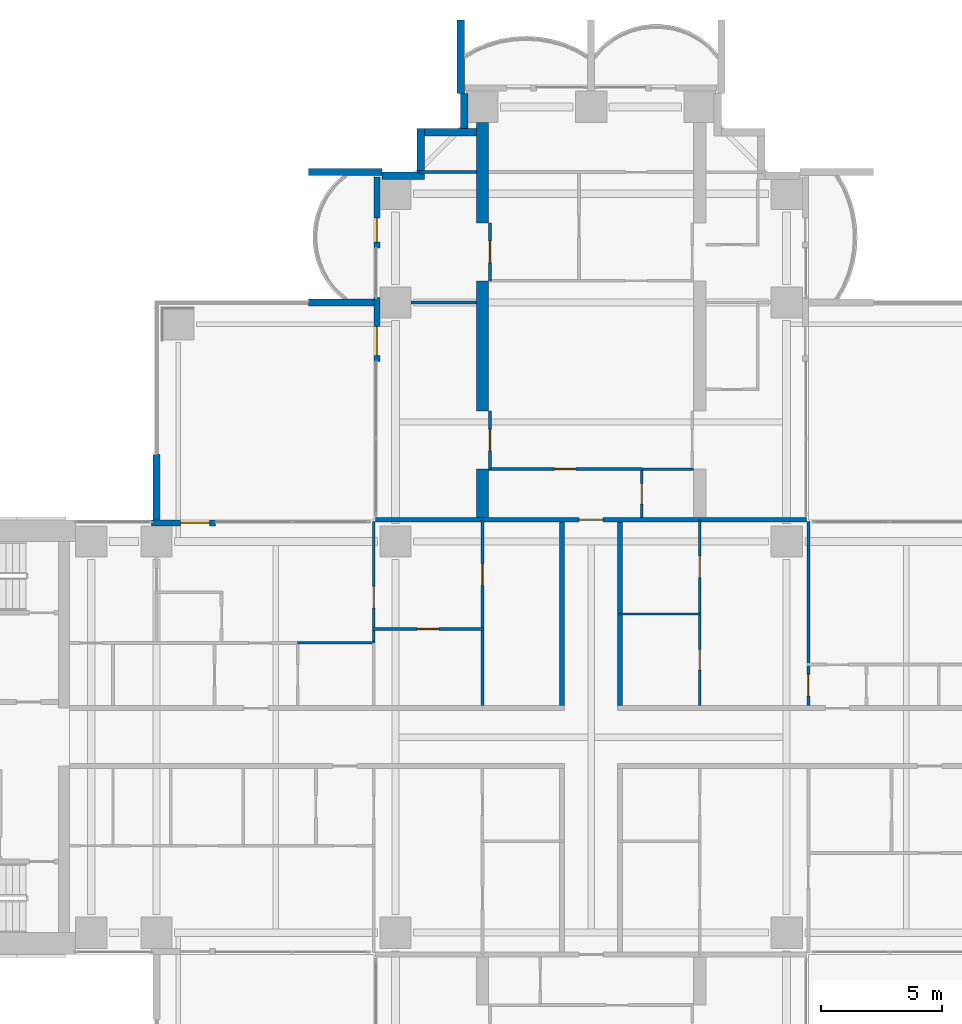
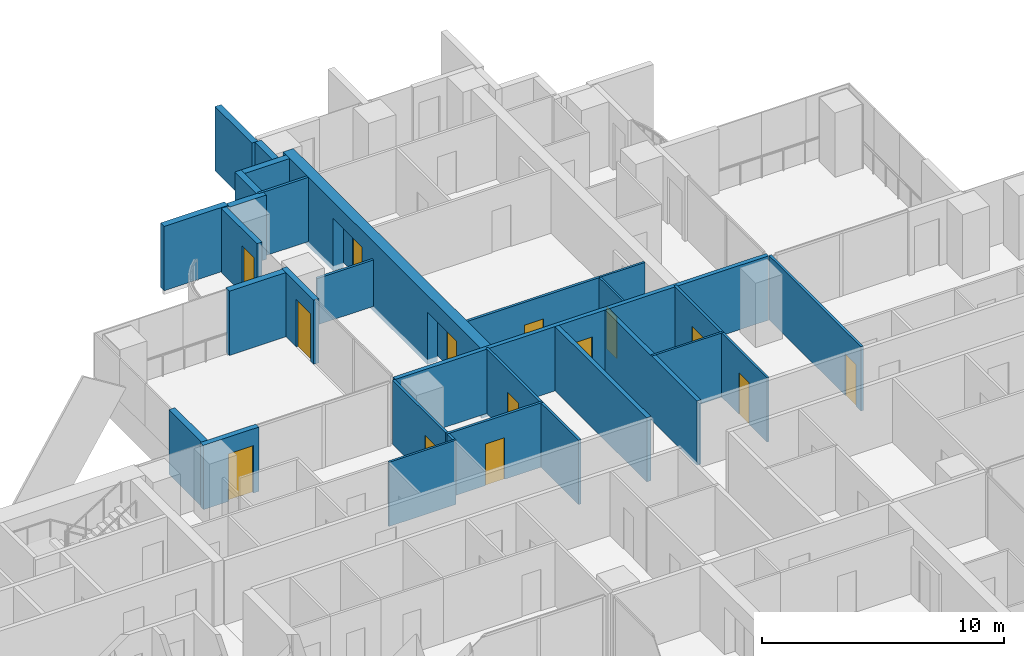
# One storey, part 15 of 23: 30 walls, 14 doors, 14 openings.
"""IFC4 building model written with IfcOpenShell, lengths in metres."""

from ifc_helpers import new_model, si_unit, direction, frame, frame_2d, origin, place, context, subcontext, project, spatial, polyline, rectangle, outline, extrude, material, layer, layer_set, material_profile, profile_set, type_object, element, fill, save


model = new_model("IFC4")

# Units and contexts
model_context = context("Model", 3, precision=1e-05, world=origin(), true_north=direction((0.0, 1.0)))
body_context = subcontext(model_context, "Body", "Model", "MODEL_VIEW")
ifc_project = project(units=[si_unit("LENGTHUNIT", "METRE"), si_unit("AREAUNIT", "SQUARE_METRE"), si_unit("VOLUMEUNIT", "CUBIC_METRE"), si_unit("PLANEANGLEUNIT", "RADIAN"), si_unit("MASSUNIT", "GRAM", prefix="KILO")], contexts=[model_context])

# Site, building, storey
site_placement = place(None, origin())
site = spatial("IfcSite", under=ifc_project, at=site_placement, CompositionType="ELEMENT")
building_placement = place(site_placement, origin())
building = spatial("IfcBuilding", under=site, at=building_placement, Name="Perihelion Cross Residences", CompositionType="ELEMENT")
storey_placement = place(building_placement, frame((0.0, 0.0, 36.5)))
storey = spatial("IfcBuildingStorey", under=building, at=storey_placement, Name="L05", CompositionType="ELEMENT", Elevation=36.5)

# Walls
ifc_material_1 = material(Name="Plasterboard partition")
ifc_layer_1 = layer(ifc_material_1, 0.199951171875)
ifc_layer_set_1 = layer_set([ifc_layer_1], Name="Apartment separation wall 200")
wall_type_1 = type_object("IfcWallType", Name="Apartment separation wall 200", PredefinedType="PARTITIONING", material=ifc_layer_set_1)
for number, where, z_axis, x_axis, name in (
    (1, (1.199951171875, 8.89990234375, 0.0), (0.0, 0.0, 1.0), (0.0, -1.0, 0.0), "Partition L05 W002"),
    (2, (-1.199951171875, 1.300048828125, 0.0), (0.0, 0.0, 1.0), (0.0, 1.0, 0.0), "Partition L05 W006"),
):
    element("IfcWall", number, at=place(storey_placement, frame(where, z_axis=z_axis, x_axis=x_axis)), inside=storey, type_object=wall_type_1, Name=name, PredefinedType="PARTITIONING", context=body_context, shape_type="SweptSolid", body=[
        extrude(rectangle(XDim=7.599853515625, YDim=0.199951171875, at=frame_2d((3.7998046875, 0.0))), origin(), (0.0, 0.0, 1.0), 3.25),
    ])

# Wall, opening, door
wall_1_placement = place(storey_placement, frame((-8.919921875, 9.0, 0.0), z_axis=(0.0, 0.0, 1.0), x_axis=(1.0, 0.0, 0.0)))
wall_1 = element("IfcWall", 3, at=wall_1_placement, inside=storey, type_object=wall_type_1, Name="Partition L05 W009", PredefinedType="PARTITIONING", context=body_context, shape_type="SweptSolid", body=[
    extrude(rectangle(XDim=17.83984375, YDim=0.199951171875, at=frame_2d((8.919921875, 0.0))), origin(), (0.0, 0.0, 1.0), 3.25),
])
opening_1_placement = place(wall_1_placement, frame((8.419921875, 0.0, 0.0)))
opening_1 = element("IfcOpeningElement", 4, at=opening_1_placement, cuts=wall_1, Name="Opening L05.A34", PredefinedType="OPENING", context=body_context, shape_type="SweptSolid", body=[
    extrude(rectangle(XDim=1.0, YDim=2.10009765625, at=frame_2d((0.5, 1.050048828125))), frame((0.0, 0.10986328125, 0.0), z_axis=(0.0, -1.0, 0.0), x_axis=(1.0, 0.0, 0.0)), (0.0, 0.0, 1.0), 0.219970703125),
])
ifc_material_2 = material(Name="Timber door leaf", Category="wood")
door_type_1 = type_object("IfcDoorType", Name="Flat entrance door 1000 x 2100", OperationType="SINGLE_SWING_LEFT", PredefinedType="DOOR", material=ifc_material_2)
door_1_placement = place(opening_1_placement, origin())
door_1 = element("IfcDoor", 5, at=door_1_placement, inside=storey, type_object=door_type_1, Name="Door L05.A34", OperationType="SINGLE_SWING_RIGHT", OverallHeight=2.10009765625, OverallWidth=1.0, PredefinedType="DOOR", context=body_context, shape_type="SweptSolid", body=[
    extrude(rectangle(XDim=1.0, YDim=2.10009765625, at=frame_2d((0.5, 1.050048828125))), frame((0.0, 0.02490234375, 0.0), z_axis=(0.0, -1.0, 0.0), x_axis=(1.0, 0.0, 0.0)), (0.0, 0.0, 1.0), 0.050048828125),
])
fill(opening_1, door_1)

ifc_material_3 = material(Name="Concrete C30/37, bronze-clad", Category="concrete")
ifc_layer_2 = layer(ifc_material_3, 0.25)
ifc_layer_set_2 = layer_set([ifc_layer_2], Name="Bronze-clad pier wall 250")
wall_type_2 = type_object("IfcWallType", Name="Bronze-clad pier wall 250", PredefinedType="SOLIDWALL", material=ifc_layer_set_2)
wall_2_placement = place(storey_placement, frame((-8.875, 23.199951171875, 0.0), z_axis=(0.0, 0.0, 1.0), x_axis=(0.0, -1.0, 0.0)))
wall_2 = element("IfcWall", 6, at=wall_2_placement, inside=storey, type_object=wall_type_2, Name="Wall FW1 L05 north side west bay 1 pier", PredefinedType="SOLIDWALL", context=body_context, shape_type="SweptSolid", body=[
    extrude(rectangle(XDim=2.949951171875, YDim=0.25, at=frame_2d((1.47509765625, 0.0))), origin(), (0.0, 0.0, 1.0), 3.25),
])
opening_2_placement = place(wall_2_placement, frame((1.699951171875, 0.0, 0.0)))
opening_2 = element("IfcOpeningElement", 7, at=opening_2_placement, cuts=wall_2, Name="Opening L05.E06", PredefinedType="OPENING", context=body_context, shape_type="SweptSolid", body=[
    extrude(rectangle(XDim=1.0, YDim=2.39990234375, at=frame_2d((0.5, 1.199951171875))), frame((0.0, 0.135009765625, 0.0), z_axis=(0.0, -1.0, 0.0), x_axis=(1.0, 0.0, 0.0)), (0.0, 0.0, 1.0), 0.27001953125),
])
ifc_material_4 = material(Name="Bronze anodised aluminium, glazed", Category="aluminium")
door_type_2 = type_object("IfcDoorType", Name="Balcony door 1000 x 2400", OperationType="NOTDEFINED", PredefinedType="DOOR", material=ifc_material_4)
door_2_placement = place(opening_2_placement, origin())
door_2 = element("IfcDoor", 8, at=door_2_placement, inside=storey, type_object=door_type_2, Name="Door L05.E06 north side west bay 1", OperationType="SINGLE_SWING_LEFT", OverallHeight=2.39990234375, OverallWidth=1.0, PredefinedType="DOOR", context=body_context, shape_type="SweptSolid", body=[
    extrude(rectangle(XDim=1.0, YDim=2.39990234375, at=frame_2d((0.5, 1.199951171875))), frame((0.0, 0.02490234375, 0.0), z_axis=(0.0, -1.0, 0.0), x_axis=(1.0, 0.0, 0.0)), (0.0, 0.0, 1.0), 0.050048828125),
])
fill(opening_2, door_2)

wall_3_placement = place(storey_placement, frame((-8.875, 18.199951171875, 0.0), z_axis=(0.0, 0.0, 1.0), x_axis=(0.0, -1.0, 0.0)))
wall_3 = element("IfcWall", 9, at=wall_3_placement, inside=storey, type_object=wall_type_2, Name="Wall FW1 L05 north side west bay 2 pier", PredefinedType="SOLIDWALL", context=body_context, shape_type="SweptSolid", body=[
    extrude(rectangle(XDim=2.64990234375, YDim=0.25, at=frame_2d((1.324951171875, 0.0))), origin(), (0.0, 0.0, 1.0), 3.25),
])
opening_3_placement = place(wall_3_placement, frame((1.199951171875, 0.0, 0.0)))
opening_3 = element("IfcOpeningElement", 10, at=opening_3_placement, cuts=wall_3, Name="Opening L05.E07", PredefinedType="OPENING", context=body_context, shape_type="SweptSolid", body=[
    extrude(rectangle(XDim=1.199951171875, YDim=2.39990234375, at=frame_2d((0.60009765625, 1.199951171875))), frame((0.0, 0.135009765625, 0.0), z_axis=(0.0, -1.0, 0.0), x_axis=(1.0, 0.0, 0.0)), (0.0, 0.0, 1.0), 0.27001953125),
])
ifc_material_5 = material(Name="Bronze anodised aluminium, glazed", Category="aluminium")
door_type_3 = type_object("IfcDoorType", Name="Balcony door 1200 x 2400", OperationType="NOTDEFINED", PredefinedType="DOOR", material=ifc_material_5)
door_3_placement = place(opening_3_placement, origin())
door_3 = element("IfcDoor", 11, at=door_3_placement, inside=storey, type_object=door_type_3, Name="Door L05.E07 north side west bay 2", OperationType="SINGLE_SWING_RIGHT", OverallHeight=2.39990234375, OverallWidth=1.199951171875, PredefinedType="DOOR", context=body_context, shape_type="SweptSolid", body=[
    extrude(rectangle(XDim=1.199951171875, YDim=2.39990234375, at=frame_2d((0.60009765625, 1.199951171875))), frame((0.0, 0.02490234375, 0.0), z_axis=(0.0, -1.0, 0.0), x_axis=(1.0, 0.0, 0.0)), (0.0, 0.0, 1.0), 0.050048828125),
])
fill(opening_3, door_3)

wall_4_placement = place(storey_placement, frame((-15.550048828125, 8.875, 0.0), z_axis=(0.0, 0.0, 1.0), x_axis=(-1.0, 0.0, 0.0)))
wall_4 = element("IfcWall", 12, at=wall_4_placement, inside=storey, type_object=wall_type_2, Name="Wall FW1 L05 west side north bay 1 pier", PredefinedType="SOLIDWALL", context=body_context, shape_type="SweptSolid", body=[
    extrude(rectangle(XDim=2.64990234375, YDim=0.25, at=frame_2d((1.324951171875, 0.0))), origin(), (0.0, 0.0, 1.0), 3.25),
])
opening_4_placement = place(wall_4_placement, frame((0.25, 0.0, 0.0)))
opening_4 = element("IfcOpeningElement", 13, at=opening_4_placement, cuts=wall_4, Name="Opening L05.E08", PredefinedType="OPENING", context=body_context, shape_type="SweptSolid", body=[
    extrude(rectangle(XDim=1.199951171875, YDim=2.39990234375, at=frame_2d((0.60009765625, 1.199951171875))), frame((0.0, 0.135009765625, 0.0), z_axis=(0.0, -1.0, 0.0), x_axis=(1.0, 0.0, 0.0)), (0.0, 0.0, 1.0), 0.27001953125),
])
door_4_placement = place(opening_4_placement, origin())
door_4 = element("IfcDoor", 14, at=door_4_placement, inside=storey, type_object=door_type_3, Name="Door L05.E08 west side north bay 1", OperationType="SINGLE_SWING_LEFT", OverallHeight=2.39990234375, OverallWidth=1.199951171875, PredefinedType="DOOR", context=body_context, shape_type="SweptSolid", body=[
    extrude(rectangle(XDim=1.199951171875, YDim=2.39990234375, at=frame_2d((0.60009765625, 1.199951171875))), frame((0.0, 0.02490234375, 0.0), z_axis=(0.0, -1.0, 0.0), x_axis=(1.0, 0.0, 0.0)), (0.0, 0.0, 1.0), 0.050048828125),
])
fill(opening_4, door_4)

# Walls
ifc_material_6 = material(Name="Concrete C30/37, bronze-clad", Category="concrete")
ifc_layer_3 = layer(ifc_material_6, 0.300048828125)
ifc_layer_set_3 = layer_set([ifc_layer_3], Name="Bronze-clad serration wall 300")
wall_type_3 = type_object("IfcWallType", Name="Bronze-clad serration wall 300", PredefinedType="SOLIDWALL", material=ifc_layer_set_3)
wall_5_placement = place(storey_placement, frame((-5.25, 26.64990234375, 0.0), z_axis=(0.0, 0.0, 1.0), x_axis=(0.0, -1.0, 0.0)))
element("IfcWall", 15, at=wall_5_placement, inside=storey, type_object=wall_type_3, Name="Wall SR1 L05 north corner north-west 1", PredefinedType="SOLIDWALL", context=body_context, shape_type="SweptSolid", body=[
    extrude(rectangle(XDim=1.449951171875, YDim=0.300048828125, at=frame_2d((0.72509765625, 0.0))), origin(), (0.0, 0.0, 1.0), 3.25),
])
wall_6_placement = place(storey_placement, frame((-4.75, 25.050048828125, 0.0), z_axis=(0.0, 0.0, 1.0), x_axis=(-1.0, 0.0, 0.0)))
element("IfcWall", 16, at=wall_6_placement, inside=storey, type_object=wall_type_3, Name="Wall SR1 L05 north corner north-west 2", PredefinedType="SOLIDWALL", context=body_context, shape_type="SweptSolid", body=[
    extrude(rectangle(XDim=2.14990234375, YDim=0.300048828125, at=frame_2d((1.074951171875, 0.0))), origin(), (0.0, 0.0, 1.0), 3.25),
])
wall_7_placement = place(storey_placement, frame((-7.050048828125, 25.199951171875, 0.0), z_axis=(0.0, 0.0, 1.0), x_axis=(0.0, -1.0, 0.0)))
element("IfcWall", 17, at=wall_7_placement, inside=storey, type_object=wall_type_3, Name="Wall SR1 L05 north corner north-west 3", PredefinedType="SOLIDWALL", context=body_context, shape_type="SweptSolid", body=[
    extrude(rectangle(XDim=1.800048828125, YDim=0.300048828125, at=frame_2d((0.89990234375, 0.0))), origin(), (0.0, 0.0, 1.0), 3.25),
])
wall_8_placement = place(storey_placement, frame((-6.89990234375, 23.25, 0.0), z_axis=(0.0, 0.0, 1.0), x_axis=(-1.0, 0.0, 0.0)))
element("IfcWall", 18, at=wall_8_placement, inside=storey, type_object=wall_type_3, Name="Wall SR1 L05 north corner north-west 4", PredefinedType="SOLIDWALL", context=body_context, shape_type="SweptSolid", body=[
    extrude(rectangle(XDim=1.75, YDim=0.300048828125, at=frame_2d((0.875, 0.0))), origin(), (0.0, 0.0, 1.0), 3.25),
])

# Wall, opening, door
ifc_material_7 = material(Name="Plasterboard partition")
ifc_layer_4 = layer(ifc_material_7, 0.1201171875)
ifc_layer_set_4 = layer_set([ifc_layer_4], Name="Infill panel 120")
wall_type_4 = type_object("IfcWallType", Name="Infill panel 120", PredefinedType="PARTITIONING", material=ifc_layer_set_4)
wall_9_placement = place(storey_placement, frame((-4.18994140625, 11.10009765625, 0.0), z_axis=(0.0, 0.0, 1.0), x_axis=(0.0, 1.0, 0.0)))
wall_9 = element("IfcWall", 19, at=wall_9_placement, inside=storey, type_object=wall_type_4, Name="Partition L05 WI03", PredefinedType="PARTITIONING", context=body_context, shape_type="SweptSolid", body=[
    extrude(rectangle(XDim=2.39990234375, YDim=0.1201171875, at=frame_2d((1.199951171875, 0.0))), origin(), (0.0, 0.0, 1.0), 2.39990234375),
])
opening_5_placement = place(wall_9_placement, frame((0.75, 0.0, 0.0)))
opening_5 = element("IfcOpeningElement", 20, at=opening_5_placement, cuts=wall_9, Name="Opening L05.A56", PredefinedType="OPENING", context=body_context, shape_type="SweptSolid", body=[
    extrude(rectangle(XDim=0.89990234375, YDim=2.10009765625, at=frame_2d((0.449951171875, 1.050048828125))), frame((0.0, 0.070068359375, 0.0), z_axis=(0.0, -1.0, 0.0), x_axis=(1.0, 0.0, 0.0)), (0.0, 0.0, 1.0), 0.14013671875),
])
ifc_material_8 = material(Name="Timber door leaf", Category="wood")
door_type_4 = type_object("IfcDoorType", Name="Interior room door 900 x 2100", OperationType="SINGLE_SWING_LEFT", PredefinedType="DOOR", material=ifc_material_8)
door_5_placement = place(opening_5_placement, origin())
door_5 = element("IfcDoor", 21, at=door_5_placement, inside=storey, type_object=door_type_4, Name="Door L05.A56", OperationType="SINGLE_SWING_LEFT", OverallHeight=2.10009765625, OverallWidth=0.89990234375, PredefinedType="DOOR", context=body_context, shape_type="SweptSolid", body=[
    extrude(rectangle(XDim=0.89990234375, YDim=2.10009765625, at=frame_2d((0.449951171875, 1.050048828125))), frame((0.0, 0.02490234375, 0.0), z_axis=(0.0, -1.0, 0.0), x_axis=(1.0, 0.0, 0.0)), (0.0, 0.0, 1.0), 0.050048828125),
])
fill(opening_5, door_5)

wall_10_placement = place(storey_placement, frame((-4.18994140625, 18.89990234375, 0.0), z_axis=(0.0, 0.0, 1.0), x_axis=(0.0, 1.0, 0.0)))
wall_10 = element("IfcWall", 22, at=wall_10_placement, inside=storey, type_object=wall_type_4, Name="Partition L05 WI04", PredefinedType="PARTITIONING", context=body_context, shape_type="SweptSolid", body=[
    extrude(rectangle(XDim=2.400146484375, YDim=0.1201171875, at=frame_2d((1.2001953125, 0.0))), origin(), (0.0, 0.0, 1.0), 2.39990234375),
])
opening_6_placement = place(wall_10_placement, frame((0.75, 0.0, 0.0)))
opening_6 = element("IfcOpeningElement", 23, at=opening_6_placement, cuts=wall_10, Name="Opening L05.A57", PredefinedType="OPENING", context=body_context, shape_type="SweptSolid", body=[
    extrude(rectangle(XDim=0.89990234375, YDim=2.10009765625, at=frame_2d((0.449951171875, 1.050048828125))), frame((0.0, 0.070068359375, 0.0), z_axis=(0.0, -1.0, 0.0), x_axis=(1.0, 0.0, 0.0)), (0.0, 0.0, 1.0), 0.14013671875),
])
door_6_placement = place(opening_6_placement, origin())
door_6 = element("IfcDoor", 24, at=door_6_placement, inside=storey, type_object=door_type_4, Name="Door L05.A57", OperationType="SINGLE_SWING_RIGHT", OverallHeight=2.10009765625, OverallWidth=0.89990234375, PredefinedType="DOOR", context=body_context, shape_type="SweptSolid", body=[
    extrude(rectangle(XDim=0.89990234375, YDim=2.10009765625, at=frame_2d((0.449951171875, 1.050048828125))), frame((0.0, 0.02490234375, 0.0), z_axis=(0.0, -1.0, 0.0), x_axis=(1.0, 0.0, 0.0)), (0.0, 0.0, 1.0), 0.050048828125),
])
fill(opening_6, door_6)

ifc_material_9 = material(Name="Plasterboard partition")
ifc_layer_5 = layer(ifc_material_9, 0.1201171875)
ifc_layer_set_5 = layer_set([ifc_layer_5], Name="Partition wall 120")
wall_type_5 = type_object("IfcWallType", Name="Partition wall 120", PredefinedType="PARTITIONING", material=ifc_layer_set_5)
wall_11_placement = place(storey_placement, frame((9.0, 1.300048828125, 0.0), z_axis=(0.0, 0.0, 1.0), x_axis=(0.0, 1.0, 0.0)))
wall_11 = element("IfcWall", 25, at=wall_11_placement, inside=storey, type_object=wall_type_5, Name="Partition L05 W013", PredefinedType="PARTITIONING", context=body_context, shape_type="SweptSolid", body=[
    extrude(rectangle(XDim=7.619873046875, YDim=0.1201171875, at=frame_2d((3.81005859375, 0.0))), origin(), (0.0, 0.0, 1.0), 3.25),
])
opening_7_placement = place(wall_11_placement, frame((0.39990234375, 0.0, 0.0)))
opening_7 = element("IfcOpeningElement", 26, at=opening_7_placement, cuts=wall_11, Name="Opening L05.A04", PredefinedType="OPENING", context=body_context, shape_type="SweptSolid", body=[
    extrude(rectangle(XDim=0.89990234375, YDim=2.10009765625, at=frame_2d((0.449951171875, 1.050048828125))), frame((0.0, 0.070068359375, 0.0), z_axis=(0.0, -1.0, 0.0), x_axis=(1.0, 0.0, 0.0)), (0.0, 0.0, 1.0), 0.14013671875),
])
door_7_placement = place(opening_7_placement, origin())
door_7 = element("IfcDoor", 27, at=door_7_placement, inside=storey, type_object=door_type_4, Name="Door L05.A04", OperationType="SINGLE_SWING_RIGHT", OverallHeight=2.10009765625, OverallWidth=0.89990234375, PredefinedType="DOOR", context=body_context, shape_type="SweptSolid", body=[
    extrude(rectangle(XDim=0.89990234375, YDim=2.10009765625, at=frame_2d((0.449951171875, 1.050048828125))), frame((0.0, 0.02490234375, 0.0), z_axis=(0.0, -1.0, 0.0), x_axis=(1.0, 0.0, 0.0)), (0.0, 0.0, 1.0), 0.050048828125),
])
fill(opening_7, door_7)

wall_12_placement = place(storey_placement, frame((4.5, 5.10009765625, 0.0), z_axis=(0.0, 0.0, 1.0), x_axis=(0.0, 1.0, 0.0)))
wall_12 = element("IfcWall", 28, at=wall_12_placement, inside=storey, type_object=wall_type_5, Name="Partition L05 W021", PredefinedType="PARTITIONING", context=body_context, shape_type="SweptSolid", body=[
    extrude(rectangle(XDim=3.89990234375, YDim=0.1201171875, at=frame_2d((1.949951171875, 0.0))), origin(), (0.0, 0.0, 1.0), 3.25),
])
opening_8_placement = place(wall_12_placement, frame((1.5, 0.0, 0.0)))
opening_8 = element("IfcOpeningElement", 29, at=opening_8_placement, cuts=wall_12, Name="Opening L05.A03", PredefinedType="OPENING", context=body_context, shape_type="SweptSolid", body=[
    extrude(rectangle(XDim=0.89990234375, YDim=2.10009765625, at=frame_2d((0.449951171875, 1.050048828125))), frame((0.0, 0.070068359375, 0.0), z_axis=(0.0, -1.0, 0.0), x_axis=(1.0, 0.0, 0.0)), (0.0, 0.0, 1.0), 0.14013671875),
])
door_8_placement = place(opening_8_placement, origin())
door_8 = element("IfcDoor", 30, at=door_8_placement, inside=storey, type_object=door_type_4, Name="Door L05.A03", OperationType="SINGLE_SWING_RIGHT", OverallHeight=2.10009765625, OverallWidth=0.89990234375, PredefinedType="DOOR", context=body_context, shape_type="SweptSolid", body=[
    extrude(rectangle(XDim=0.89990234375, YDim=2.10009765625, at=frame_2d((0.449951171875, 1.050048828125))), frame((0.0, 0.02490234375, 0.0), z_axis=(0.0, -1.0, 0.0), x_axis=(1.0, 0.0, 0.0)), (0.0, 0.0, 1.0), 0.050048828125),
])
fill(opening_8, door_8)

wall_13_placement = place(storey_placement, frame((-9.0, 8.919921875, 0.0), z_axis=(0.0, 0.0, 1.0), x_axis=(0.0, -1.0, 0.0)))
wall_13 = element("IfcWall", 31, at=wall_13_placement, inside=storey, type_object=wall_type_5, Name="Partition L05 W042", PredefinedType="PARTITIONING", context=body_context, shape_type="SweptSolid", body=[
    extrude(rectangle(XDim=5.02001953125, YDim=0.1201171875, at=frame_2d((2.510009765625, 0.0))), origin(), (0.0, 0.0, 1.0), 3.25),
])
opening_9_placement = place(wall_13_placement, frame((2.681884765625, 0.0, 0.0)))
opening_9 = element("IfcOpeningElement", 32, at=opening_9_placement, cuts=wall_13, Name="Opening L05.A21", PredefinedType="OPENING", context=body_context, shape_type="SweptSolid", body=[
    extrude(rectangle(XDim=0.89990234375, YDim=2.10009765625, at=frame_2d((0.449951171875, 1.050048828125))), frame((0.0, 0.070068359375, 0.0), z_axis=(0.0, -1.0, 0.0), x_axis=(1.0, 0.0, 0.0)), (0.0, 0.0, 1.0), 0.14013671875),
])
door_9_placement = place(opening_9_placement, origin())
door_9 = element("IfcDoor", 33, at=door_9_placement, inside=storey, type_object=door_type_4, Name="Door L05.A21", OperationType="SINGLE_SWING_LEFT", OverallHeight=2.10009765625, OverallWidth=0.89990234375, PredefinedType="DOOR", context=body_context, shape_type="SweptSolid", body=[
    extrude(rectangle(XDim=0.89990234375, YDim=2.10009765625, at=frame_2d((0.449951171875, 1.050048828125))), frame((0.0, 0.02490234375, 0.0), z_axis=(0.0, -1.0, 0.0), x_axis=(1.0, 0.0, 0.0)), (0.0, 0.0, 1.0), 0.050048828125),
])
fill(opening_9, door_9)

wall_14_placement = place(storey_placement, frame((-9.06005859375, 4.47607421875, 0.0), z_axis=(0.0, 0.0, 1.0), x_axis=(1.0, 0.0, 0.0)))
wall_14 = element("IfcWall", 34, at=wall_14_placement, inside=storey, type_object=wall_type_5, Name="Partition L05 W043", PredefinedType="PARTITIONING", context=body_context, shape_type="SweptSolid", body=[
    extrude(rectangle(XDim=4.6201171875, YDim=0.1201171875, at=frame_2d((2.31005859375, 0.0))), origin(), (0.0, 0.0, 1.0), 3.25),
])
opening_10_placement = place(wall_14_placement, frame((1.860107421875, 0.0, 0.0)))
opening_10 = element("IfcOpeningElement", 35, at=opening_10_placement, cuts=wall_14, Name="Opening L05.A19", PredefinedType="OPENING", context=body_context, shape_type="SweptSolid", body=[
    extrude(rectangle(XDim=0.89990234375, YDim=2.10009765625, at=frame_2d((0.449951171875, 1.050048828125))), frame((0.0, 0.070068359375, 0.0), z_axis=(0.0, -1.0, 0.0), x_axis=(1.0, 0.0, 0.0)), (0.0, 0.0, 1.0), 0.14013671875),
])
door_10_placement = place(opening_10_placement, origin())
door_10 = element("IfcDoor", 36, at=door_10_placement, inside=storey, type_object=door_type_4, Name="Door L05.A19", OperationType="SINGLE_SWING_RIGHT", OverallHeight=2.10009765625, OverallWidth=0.89990234375, PredefinedType="DOOR", context=body_context, shape_type="SweptSolid", body=[
    extrude(rectangle(XDim=0.89990234375, YDim=2.10009765625, at=frame_2d((0.449951171875, 1.050048828125))), frame((0.0, 0.02490234375, 0.0), z_axis=(0.0, -1.0, 0.0), x_axis=(1.0, 0.0, 0.0)), (0.0, 0.0, 1.0), 0.050048828125),
])
fill(opening_10, door_10)

wall_15_placement = place(storey_placement, frame((-4.5, 9.0, 0.0), z_axis=(0.0, 0.0, 1.0), x_axis=(0.0, -1.0, 0.0)))
wall_15 = element("IfcWall", 37, at=wall_15_placement, inside=storey, type_object=wall_type_5, Name="Partition L05 W044", PredefinedType="PARTITIONING", context=body_context, shape_type="SweptSolid", body=[
    extrude(rectangle(XDim=7.699951171875, YDim=0.1201171875, at=frame_2d((3.85009765625, 0.0))), origin(), (0.0, 0.0, 1.0), 3.25),
])
opening_11_placement = place(wall_15_placement, frame((1.81201171875, 0.0, 0.0)))
opening_11 = element("IfcOpeningElement", 38, at=opening_11_placement, cuts=wall_15, Name="Opening L05.A20", PredefinedType="OPENING", context=body_context, shape_type="SweptSolid", body=[
    extrude(rectangle(XDim=0.89990234375, YDim=2.10009765625, at=frame_2d((0.449951171875, 1.050048828125))), frame((0.0, 0.070068359375, 0.0), z_axis=(0.0, -1.0, 0.0), x_axis=(1.0, 0.0, 0.0)), (0.0, 0.0, 1.0), 0.14013671875),
])
door_11_placement = place(opening_11_placement, origin())
door_11 = element("IfcDoor", 39, at=door_11_placement, inside=storey, type_object=door_type_4, Name="Door L05.A20", OperationType="SINGLE_SWING_LEFT", OverallHeight=2.10009765625, OverallWidth=0.89990234375, PredefinedType="DOOR", context=body_context, shape_type="SweptSolid", body=[
    extrude(rectangle(XDim=0.89990234375, YDim=2.10009765625, at=frame_2d((0.449951171875, 1.050048828125))), frame((0.0, 0.02490234375, 0.0), z_axis=(0.0, -1.0, 0.0), x_axis=(1.0, 0.0, 0.0)), (0.0, 0.0, 1.0), 0.050048828125),
])
fill(opening_11, door_11)

wall_16_placement = place(storey_placement, frame((-4.25, 11.10009765625, 0.0), z_axis=(0.0, 0.0, 1.0), x_axis=(1.0, 0.0, 0.0)))
wall_16 = element("IfcWall", 40, at=wall_16_placement, inside=storey, type_object=wall_type_5, Name="Partition L05 W058", PredefinedType="PARTITIONING", context=body_context, shape_type="SweptSolid", body=[
    extrude(rectangle(XDim=6.35009765625, YDim=0.1201171875, at=frame_2d((3.175048828125, 0.0))), origin(), (0.0, 0.0, 1.0), 3.25),
])
opening_12_placement = place(wall_16_placement, frame((2.72509765625, 0.0, 0.0)))
opening_12 = element("IfcOpeningElement", 41, at=opening_12_placement, cuts=wall_16, Name="Opening L05.A36", PredefinedType="OPENING", context=body_context, shape_type="SweptSolid", body=[
    extrude(rectangle(XDim=0.89990234375, YDim=2.10009765625, at=frame_2d((0.449951171875, 1.050048828125))), frame((0.0, 0.070068359375, 0.0), z_axis=(0.0, -1.0, 0.0), x_axis=(1.0, 0.0, 0.0)), (0.0, 0.0, 1.0), 0.14013671875),
])
door_12_placement = place(opening_12_placement, origin())
door_12 = element("IfcDoor", 42, at=door_12_placement, inside=storey, type_object=door_type_4, Name="Door L05.A36", OperationType="SINGLE_SWING_LEFT", OverallHeight=2.10009765625, OverallWidth=0.89990234375, PredefinedType="DOOR", context=body_context, shape_type="SweptSolid", body=[
    extrude(rectangle(XDim=0.89990234375, YDim=2.10009765625, at=frame_2d((0.449951171875, 1.050048828125))), frame((0.0, 0.02490234375, 0.0), z_axis=(0.0, -1.0, 0.0), x_axis=(1.0, 0.0, 0.0)), (0.0, 0.0, 1.0), 0.050048828125),
])
fill(opening_12, door_12)

# Walls
wall_17_placement = place(storey_placement, frame((-7.449951171875, 18.0, 0.0), z_axis=(0.0, 0.0, 1.0), x_axis=(1.0, 0.0, 0.0)))
element("IfcWall", 43, at=wall_17_placement, inside=storey, type_object=wall_type_5, Name="Partition L05 W070", PredefinedType="PARTITIONING", context=body_context, shape_type="SweptSolid", body=[
    extrude(rectangle(XDim=2.699951171875, YDim=0.1201171875, at=frame_2d((1.35009765625, 0.0))), origin(), (0.0, 0.0, 1.0), 2.345947265625),
])
wall_18_placement = place(storey_placement, frame((-7.1201171875, 23.39990234375, 0.0), z_axis=(0.0, 0.0, 1.0), x_axis=(1.0, 0.0, 0.0)))
element("IfcWall", 44, at=wall_18_placement, inside=storey, type_object=wall_type_5, Name="Partition L05 W071", PredefinedType="PARTITIONING", context=body_context, shape_type="SweptSolid", body=[
    extrude(rectangle(XDim=2.3701171875, YDim=0.1201171875, at=frame_2d((1.18505859375, 0.0))), origin(), (0.0, 0.0, 1.0), 3.25),
])
ifc_material_10 = material(Name="Precast concrete C50/60", Category="concrete")
ifc_layer_6 = layer(ifc_material_10, 0.300048828125)
ifc_layer_set_6 = layer_set([ifc_layer_6], Name="Precast concrete C50/60 blade wall 300")
wall_type_6 = type_object("IfcWallType", Name="Precast concrete C50/60 blade wall 300", PredefinedType="SOLIDWALL", material=ifc_layer_set_6)
for number, where, z_axis, x_axis, name in (
    (45, (-18.0, 8.75, 0.0), (0.0, 0.0, 1.0), (0.0, 1.0, 0.0), "Wall BL1 L05 no. 2"),
    (46, (-8.75, 18.0, 0.0), (0.0, 0.0, 1.0), (-1.0, 0.0, 0.0), "Wall BL1 L05 no. 7"),
):
    element("IfcWall", number, at=place(storey_placement, frame(where, z_axis=z_axis, x_axis=x_axis)), inside=storey, type_object=wall_type_6, Name=name, PredefinedType="SOLIDWALL", context=body_context, shape_type="SweptSolid", body=[
        extrude(rectangle(XDim=2.949951171875, YDim=0.300048828125, at=frame_2d((1.47509765625, 0.0))), origin(), (0.0, 0.0, 1.0), 3.25),
    ])
for number, where, z_axis, x_axis, name in (
    (47, (-8.64990234375, 23.39990234375, 0.0), (0.0, 0.0, 1.0), (-1.0, 0.0, 0.0), "Wall BL1 L05 no. 8"),
    (48, (-5.39990234375, 26.64990234375, 0.0), (0.0, 0.0, 1.0), (0.0, 1.0, 0.0), "Wall BL1 L05 no. 4"),
):
    element("IfcWall", number, at=place(storey_placement, frame(where, z_axis=z_axis, x_axis=x_axis)), inside=storey, type_object=wall_type_6, Name=name, PredefinedType="SOLIDWALL", context=body_context, shape_type="SweptSolid", body=[
        extrude(rectangle(XDim=3.050048828125, YDim=0.300048828125, at=frame_2d((1.52490234375, 0.0))), origin(), (0.0, 0.0, 1.0), 3.25),
    ])
ifc_material_11 = material(Name="Concrete C60/75", Category="concrete")
ifc_material_profile = material_profile(ifc_material_11, outline(polyline([(0.0, 0.0), (2.10009765625, 0.0), (2.10009765625, 2.64990234375), (4.5, 2.64990234375), (4.5, 0.0), (9.89990234375, 0.0), (9.89990234375, 2.64990234375), (12.300048828125, 2.64990234375), (12.300048828125, 0.0), (16.449951171875, 0.0), (16.449951171875, 3.5), (0.0, 3.5), (0.0, 0.0)])), Name="Tip spine wall")
ifc_profile_set = profile_set([ifc_material_profile], Name="Concrete C60/75")
wall_type_7 = type_object("IfcWallType", Name="Tip spine wall 500 with 2 door openings 16450 long 3500 high concrete C60/75 hand B", PredefinedType="SHEAR", material=ifc_profile_set)
wall_19_placement = place(storey_placement, frame((-4.75, 9.0, -0.25), z_axis=(1.0, 0.0, 0.0), x_axis=(0.0, 1.0, 0.0)))
element("IfcWall", 49, at=wall_19_placement, inside=storey, type_object=wall_type_7, Name="Shear wall SW23 L05 north west", PredefinedType="SHEAR", context=body_context, shape_type="SweptSolid", body=[
    extrude(outline(polyline([(0.0, 0.0), (2.10009765625, 0.0), (2.10009765625, 2.64990234375), (4.5, 2.64990234375), (4.5, 0.0), (9.89990234375, 0.0), (9.89990234375, 2.64990234375), (12.300048828125, 2.64990234375), (12.300048828125, 0.0), (16.449951171875, 0.0), (16.449951171875, 3.5), (0.0, 3.5), (0.0, 0.0)])), origin(), (0.0, 0.0, 1.0), 0.5),
])

# Wall, opening, door
ifc_material_12 = material(Name="Plasterboard partition")
ifc_layer_7 = layer(ifc_material_12, 0.10009765625)
ifc_layer_set_7 = layer_set([ifc_layer_7], Name="Wet room wall 100")
wall_type_8 = type_object("IfcWallType", Name="Wet room wall 100", PredefinedType="PARTITIONING", material=ifc_layer_set_7)
wall_20_placement = place(storey_placement, frame((4.5, 1.300048828125, 0.0), z_axis=(0.0, 0.0, 1.0), x_axis=(0.0, 1.0, 0.0)))
wall_20 = element("IfcWall", 50, at=wall_20_placement, inside=storey, type_object=wall_type_8, Name="Partition L05 W020", PredefinedType="PARTITIONING", context=body_context, shape_type="SweptSolid", body=[
    extrude(rectangle(XDim=3.800048828125, YDim=0.10009765625, at=frame_2d((1.89990234375, 0.0))), origin(), (0.0, 0.0, 1.0), 3.25),
])
opening_13_placement = place(wall_20_placement, frame((1.47509765625, 0.0, 0.0)))
opening_13 = element("IfcOpeningElement", 51, at=opening_13_placement, cuts=wall_20, Name="Opening L05.A05", PredefinedType="OPENING", context=body_context, shape_type="SweptSolid", body=[
    extrude(rectangle(XDim=0.85009765625, YDim=2.10009765625, at=frame_2d((0.425048828125, 1.050048828125))), frame((0.0, 0.06005859375, 0.0), z_axis=(0.0, -1.0, 0.0), x_axis=(1.0, 0.0, 0.0)), (0.0, 0.0, 1.0), 0.1201171875),
])
ifc_material_13 = material(Name="Timber door leaf", Category="wood")
door_type_5 = type_object("IfcDoorType", Name="Interior bathroom door 850 x 2100", OperationType="SINGLE_SWING_LEFT", PredefinedType="DOOR", material=ifc_material_13)
door_13_placement = place(opening_13_placement, origin())
door_13 = element("IfcDoor", 52, at=door_13_placement, inside=storey, type_object=door_type_5, Name="Door L05.A05", OperationType="SINGLE_SWING_RIGHT", OverallHeight=2.10009765625, OverallWidth=0.85009765625, PredefinedType="DOOR", context=body_context, shape_type="SweptSolid", body=[
    extrude(rectangle(XDim=0.85009765625, YDim=2.10009765625, at=frame_2d((0.425048828125, 1.050048828125))), frame((0.0, 0.02490234375, 0.0), z_axis=(0.0, -1.0, 0.0), x_axis=(1.0, 0.0, 0.0)), (0.0, 0.0, 1.0), 0.050048828125),
])
fill(opening_13, door_13)

# Walls
wall_21_placement = place(storey_placement, frame((1.10009765625, 5.10009765625, 0.0), z_axis=(0.0, 0.0, 1.0), x_axis=(1.0, 0.0, 0.0)))
element("IfcWall", 53, at=wall_21_placement, inside=storey, type_object=wall_type_8, Name="Partition L05 W022", PredefinedType="PARTITIONING", context=body_context, shape_type="SweptSolid", body=[
    extrude(rectangle(XDim=3.4599609375, YDim=0.10009765625, at=frame_2d((1.72998046875, 0.0))), origin(), (0.0, 0.0, 1.0), 3.25),
])
wall_22_placement = place(storey_placement, frame((-12.14990234375, 3.89990234375, 0.0), z_axis=(0.0, 0.0, 1.0), x_axis=(1.0, 0.0, 0.0)))
element("IfcWall", 54, at=wall_22_placement, inside=storey, type_object=wall_type_8, Name="Partition L05 W034", PredefinedType="PARTITIONING", context=body_context, shape_type="SweptSolid", body=[
    extrude(rectangle(XDim=3.2099609375, YDim=0.10009765625, at=frame_2d((1.60498046875, 0.0))), origin(), (0.0, 0.0, 1.0), 3.25),
])

# Wall, opening, door
wall_23_placement = place(storey_placement, frame((2.10009765625, 11.0400390625, 0.0), z_axis=(0.0, 0.0, 1.0), x_axis=(0.0, -1.0, 0.0)))
wall_23 = element("IfcWall", 55, at=wall_23_placement, inside=storey, type_object=wall_type_8, Name="Partition L05 W057", PredefinedType="PARTITIONING", context=body_context, shape_type="SweptSolid", body=[
    extrude(rectangle(XDim=1.93994140625, YDim=0.10009765625, at=frame_2d((0.969970703125, 0.0))), origin(), (0.0, 0.0, 1.0), 3.25),
])
opening_14_placement = place(wall_23_placement, frame((0.544921875, 0.0, 0.0)))
opening_14 = element("IfcOpeningElement", 56, at=opening_14_placement, cuts=wall_23, Name="Opening L05.A35", PredefinedType="OPENING", context=body_context, shape_type="SweptSolid", body=[
    extrude(rectangle(XDim=0.85009765625, YDim=2.10009765625, at=frame_2d((0.425048828125, 1.050048828125))), frame((0.0, 0.06005859375, 0.0), z_axis=(0.0, -1.0, 0.0), x_axis=(1.0, 0.0, 0.0)), (0.0, 0.0, 1.0), 0.1201171875),
])
door_14_placement = place(opening_14_placement, origin())
door_14 = element("IfcDoor", 57, at=door_14_placement, inside=storey, type_object=door_type_5, Name="Door L05.A35", OperationType="SINGLE_SWING_LEFT", OverallHeight=2.10009765625, OverallWidth=0.85009765625, PredefinedType="DOOR", context=body_context, shape_type="SweptSolid", body=[
    extrude(rectangle(XDim=0.85009765625, YDim=2.10009765625, at=frame_2d((0.425048828125, 1.050048828125))), frame((0.0, 0.02490234375, 0.0), z_axis=(0.0, -1.0, 0.0), x_axis=(1.0, 0.0, 0.0)), (0.0, 0.0, 1.0), 0.050048828125),
])
fill(opening_14, door_14)

# Wall
wall_24_placement = place(storey_placement, frame((2.10009765625, 11.10009765625, 0.0), z_axis=(0.0, 0.0, 1.0), x_axis=(1.0, 0.0, 0.0)))
element("IfcWall", 58, at=wall_24_placement, inside=storey, type_object=wall_type_8, Name="Partition L05 W059", PredefinedType="PARTITIONING", context=body_context, shape_type="SweptSolid", body=[
    extrude(rectangle(XDim=2.14990234375, YDim=0.10009765625, at=frame_2d((1.074951171875, 0.0))), origin(), (0.0, 0.0, 1.0), 3.25),
])

save(model, "model.ifc")
